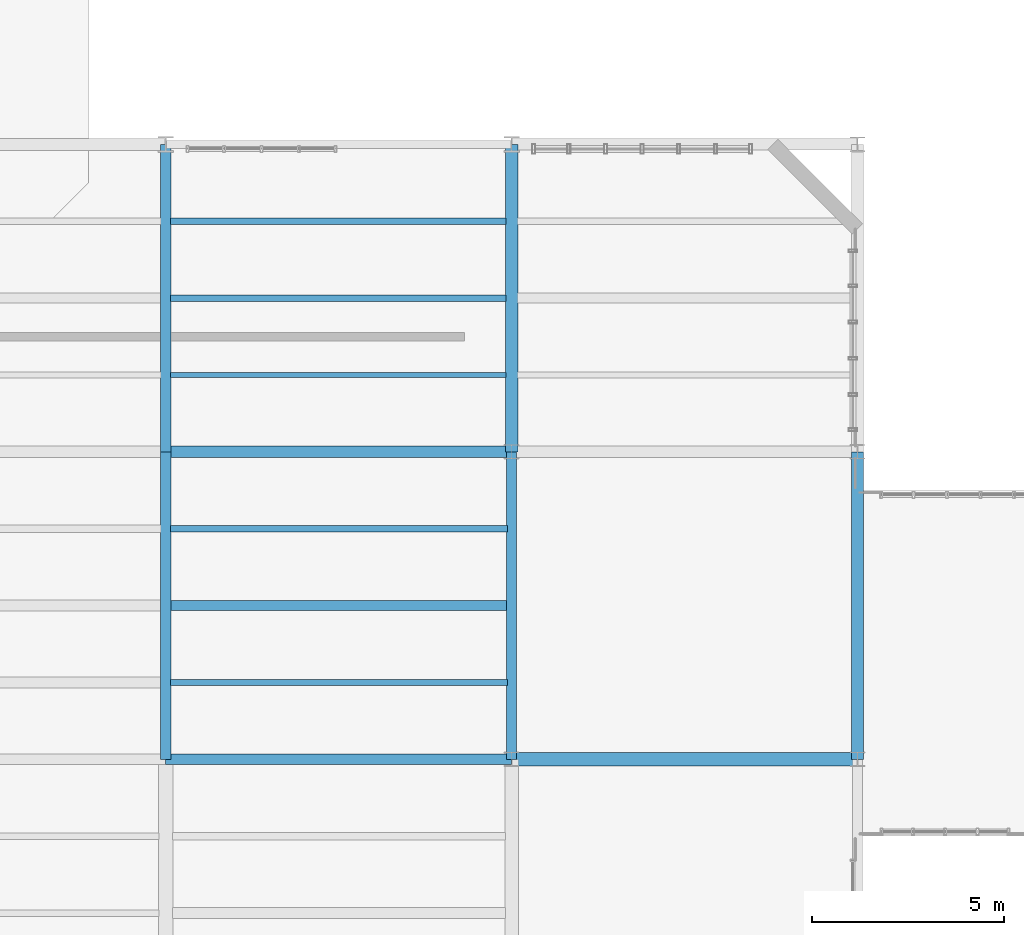
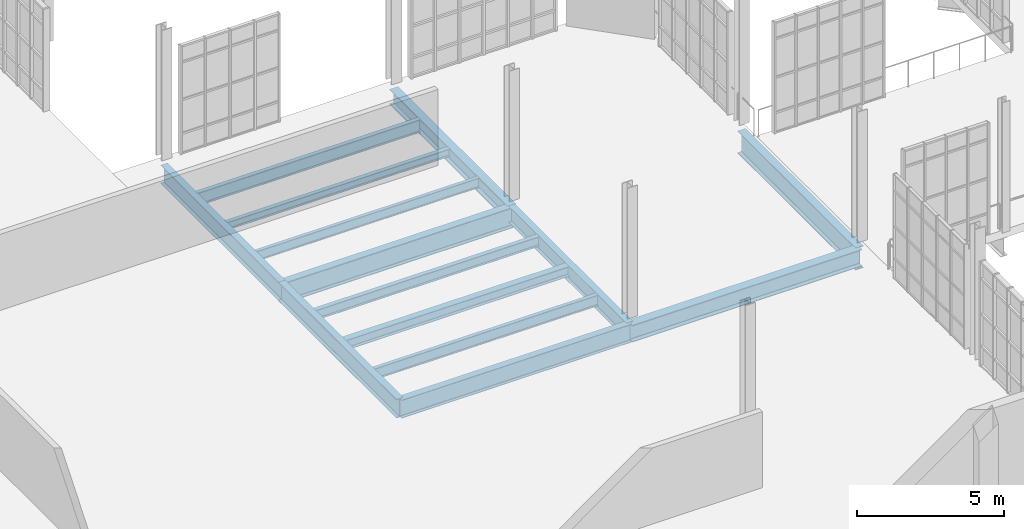
# One storey, part 24 of 189: 14 beams.
"""IFC4 building model written with IfcOpenShell, lengths in metres."""

import ifcopenshell
import ifcopenshell.guid

model = None  # the IFC model being written
_history = None  # IfcOwnerHistory: only IFC2X3 demands one
_inside = {}  # id of a spatial element -> (the spatial element, [elements in it])
_under = {}  # id of a project, library or spatial element -> (it, [spatial elements below it])
_declared = {}  # id of a project -> (the project, [libraries it declares])
_typed = {}  # id of a type object -> (the type object, [elements of that type])
_made_of = {}  # id of a material, layer set ... -> (it, [elements and type objects made of it])


def new_model(schema):
    """Start an empty IFC model of exactly this schema.

    Asked for "IFC4X3", IfcOpenShell would pick the latest addendum, in which some entities
    have other attributes; the version numbers below select the first issue.
    IFC2X3 requires an IfcOwnerHistory on every rooted entity: one is made here for all.
    """
    global model, _history
    if schema == "IFC4X3":
        model = ifcopenshell.file(schema_version=(4, 3, 0, 0))
    else:
        model = ifcopenshell.file(schema=schema)
    _inside.clear()
    _under.clear()
    _declared.clear()
    _typed.clear()
    _made_of.clear()
    _history = None
    if model.schema == "IFC2X3":
        org = make("IfcOrganization", Name="unknown")
        user = make(
            "IfcPersonAndOrganization",
            ThePerson=make("IfcPerson", FamilyName="unknown"),
            TheOrganization=org,
        )
        app = make(
            "IfcApplication",
            ApplicationDeveloper=org,
            Version="unknown",
            ApplicationFullName="unknown",
            ApplicationIdentifier="unknown",
        )
        _history = make(
            "IfcOwnerHistory",
            OwningUser=user,
            OwningApplication=app,
            ChangeAction="ADDED",
            CreationDate=0,
        )
    return model


def make(cls, **values):
    """One entity of the class cls with the attributes given. An attribute that is None is left unset."""
    return model.create_entity(
        cls, **{name: value for name, value in values.items() if value is not None}
    )


def rooted(cls, **values):
    """An entity with a GlobalId (a new one), such as an element, a storey or a relation."""
    return make(cls, GlobalId=ifcopenshell.guid.new(), OwnerHistory=_history, **values)


def si_unit(unit_type, name, prefix=None):
    """IfcSIUnit, for example si_unit("LENGTHUNIT", "METRE", prefix="MILLI")."""
    return make("IfcSIUnit", UnitType=unit_type, Prefix=prefix, Name=name)


def assignment(units):
    """IfcUnitAssignment: the units of a project."""
    return None if units is None else make("IfcUnitAssignment", Units=units)


def point(xyz):
    """IfcCartesianPoint."""
    return None if xyz is None else make("IfcCartesianPoint", Coordinates=xyz)


def direction(xyz):
    """IfcDirection."""
    return None if xyz is None else make("IfcDirection", DirectionRatios=xyz)


def frame(location, z_axis=None, x_axis=None):
    """IfcAxis2Placement3D, a coordinate frame: its origin and axes. An axis left out is left unset."""
    return make(
        "IfcAxis2Placement3D",
        Location=point(location),
        Axis=direction(z_axis),
        RefDirection=direction(x_axis),
    )


def frame_2d(location, x_axis=None):
    """IfcAxis2Placement2D, a coordinate frame in the plane: its origin and x axis."""
    return make(
        "IfcAxis2Placement2D", Location=point(location), RefDirection=direction(x_axis)
    )


def origin():
    """The frame at (0, 0, 0) with its axes left unset."""
    return frame((0.0, 0.0, 0.0))


def origin_2d():
    """The frame at (0, 0) in the plane with its x axis left unset."""
    return frame_2d((0.0, 0.0))


def place(relative_to, where):
    """IfcLocalPlacement: puts the frame where relative to a parent placement (None: the world)."""
    return make(
        "IfcLocalPlacement", PlacementRelTo=relative_to, RelativePlacement=where
    )


def context(
    kind, dimensions, precision=None, world=None, true_north=None, identifier=None
):
    """IfcGeometricRepresentationContext, for example the 3D "Model" context."""
    return make(
        "IfcGeometricRepresentationContext",
        ContextIdentifier=identifier,
        ContextType=kind,
        CoordinateSpaceDimension=dimensions,
        Precision=precision,
        WorldCoordinateSystem=world,
        TrueNorth=true_north,
    )


def subcontext(parent, identifier, kind, view, scale=None):
    """IfcGeometricRepresentationSubContext, for example "Body" below "Model"."""
    return make(
        "IfcGeometricRepresentationSubContext",
        ContextIdentifier=identifier,
        ContextType=kind,
        ParentContext=parent,
        TargetScale=scale,
        TargetView=view,
    )


def project(units=None, contexts=None):
    """IfcProject with its units and contexts."""
    return rooted(
        "IfcProject",
        Name="project",
        RepresentationContexts=contexts,
        UnitsInContext=assignment(units),
    )


def spatial(cls, under=None, at=None, **own):
    """A site, building, storey or space (cls), placed at a placement, below another one or the project."""
    s = rooted(cls, ObjectPlacement=at, **own)
    if under is not None:
        _under.setdefault(under.id(), (under, []))[1].append(s)
    return s


def profile(cls, at=None, kind="AREA", **sizes):
    """A parametric profile (cls). Its sizes go by their IFC names, for example OverallWidth=200.0."""
    return make(cls, ProfileType=kind, Position=at, **sizes)


def i_section(**sizes):
    """IfcIShapeProfileDef."""
    return profile("IfcIShapeProfileDef", **sizes)


def extrude(swept, where, along, depth):
    """IfcExtrudedAreaSolid: the profile swept, set in the frame where, extruded along a direction by depth."""
    return make(
        "IfcExtrudedAreaSolid",
        SweptArea=swept,
        Position=where,
        ExtrudedDirection=direction(along),
        Depth=depth,
    )


def shape(context_of_items, identifier, shape_type, items):
    """IfcShapeRepresentation: the items that make up one representation, for example the "Body"."""
    return make(
        "IfcShapeRepresentation",
        ContextOfItems=context_of_items,
        RepresentationIdentifier=identifier,
        RepresentationType=shape_type,
        Items=items,
    )


def material(Name=None, Category=None):
    """IfcMaterial."""
    return make("IfcMaterial", Name=Name, Category=Category)


def material_profile(
    of_material, cross_section, Name=None, Category=None, Priority=None
):
    """IfcMaterialProfile: a cross section and its material."""
    return make(
        "IfcMaterialProfile",
        Name=Name,
        Material=of_material,
        Profile=cross_section,
        Priority=Priority,
        Category=Category,
    )


def profile_set(profiles, Name=None, composite=None):
    """IfcMaterialProfileSet."""
    return make(
        "IfcMaterialProfileSet",
        Name=Name,
        MaterialProfiles=profiles,
        CompositeProfile=composite,
    )


def made_of(thing, what):
    """Note that an element or type object is made of a material, layer set ...; save() writes the relation."""
    if what is not None:
        _made_of.setdefault(what.id(), (what, []))[1].append(thing)
    return thing


def type_object(cls, material=None, **own):
    """A type object (cls), such as IfcWallType, which elements share."""
    return made_of(rooted(cls, **own), material)


def element(
    cls,
    number,
    at=None,
    inside=None,
    cuts=None,
    type_object=None,
    material=None,
    context=None,
    identifier="Body",
    shape_type=None,
    held_by="IfcProductDefinitionShape",
    body=None,
    shapes=None,
    **own,
):
    """One element of the class cls, such as IfcWall. Its Tag is "e" and its number.

    at: its placement. inside: the storey or other place that contains it. cuts: it is an
    opening in that element (IfcRelVoidsElement). A single representation is given by context,
    identifier, shape_type and body (its items); several are given by shapes. held_by: the class
    of the entity that holds the representations. save() writes the other relations.
    """
    e = rooted(cls, Tag="e%d" % number, ObjectPlacement=at, **own)
    if body is not None:
        shapes = [shape(context, identifier, shape_type, body)]
    if shapes is not None:
        e.Representation = make(held_by, Representations=shapes)
    if inside is not None:
        _inside.setdefault(inside.id(), (inside, []))[1].append(e)
    if cuts is not None:
        rooted(
            "IfcRelVoidsElement", RelatingBuildingElement=cuts, RelatedOpeningElement=e
        )
    if type_object is not None:
        _typed.setdefault(type_object.id(), (type_object, []))[1].append(e)
    return made_of(e, material)


def aggregate(whole, parts):
    """IfcRelAggregates: a whole, such as a stair, and the parts it consists of."""
    return rooted("IfcRelAggregates", RelatingObject=whole, RelatedObjects=parts)


def save(model, path):
    """Write the relations noted so far, then the file.

    IfcRelAggregates (storeys below a building ...), IfcRelContainedInSpatialStructure (elements
    in a storey), IfcRelDefinesByType, IfcRelAssociatesMaterial and IfcRelDeclares: one each for
    every whole, place, type object, material and project.
    """
    for whole, parts in _under.values():
        aggregate(whole, parts)
    for where, things in _inside.values():
        rooted(
            "IfcRelContainedInSpatialStructure",
            RelatedElements=things,
            RelatingStructure=where,
        )
    for kind, things in _typed.values():
        rooted("IfcRelDefinesByType", RelatedObjects=things, RelatingType=kind)
    for what, things in _made_of.values():
        rooted("IfcRelAssociatesMaterial", RelatedObjects=things, RelatingMaterial=what)
    for by, libraries in _declared.values():
        rooted("IfcRelDeclares", RelatingContext=by, RelatedDefinitions=libraries)
    model.write(path)


model = new_model("IFC4")

# Units and contexts
model_context = context("Model", 3, precision=1e-05, world=origin(), true_north=direction((0.0, 1.0)))
body_context = subcontext(model_context, "Body", "Model", "MODEL_VIEW")
ifc_project = project(units=[si_unit("LENGTHUNIT", "METRE"), si_unit("AREAUNIT", "SQUARE_METRE"), si_unit("VOLUMEUNIT", "CUBIC_METRE"), si_unit("PLANEANGLEUNIT", "RADIAN"), si_unit("MASSUNIT", "GRAM", prefix="KILO"), si_unit("THERMODYNAMICTEMPERATUREUNIT", "KELVIN"), si_unit("POWERUNIT", "WATT")], contexts=[model_context])

# Site, building, storey
site_placement = place(None, origin())
site = spatial("IfcSite", under=ifc_project, at=site_placement, CompositionType="ELEMENT")
building_placement = place(site_placement, origin())
building = spatial("IfcBuilding", under=site, at=building_placement, Name="Zelmaris Science Centre", CompositionType="ELEMENT")
storey_placement = place(building_placement, origin())
storey = spatial("IfcBuildingStorey", under=building, at=storey_placement, Name="L00", CompositionType="ELEMENT", Elevation=0.0)

# Beams
ifc_material = material(Name="Steel ASTM A992 Grade 50", Category="steel")
ifc_material_profile_1 = material_profile(ifc_material, i_section(OverallWidth=0.306884765625, OverallDepth=0.927001953125, WebThickness=0.019287109375, FlangeThickness=0.031982421875, FilletRadius=0.02392578125, at=origin_2d()), Name="W36X194")
ifc_profile_set_1 = profile_set([ifc_material_profile_1], Name="Steel ASTM A992 Grade 50")
beam_type_1 = type_object("IfcBeamType", Name="Beam G-03 W36X194", PredefinedType="BEAM", material=ifc_profile_set_1)
beam_1_placement = place(storey_placement, frame((54.0, 24.0, -0.803466796875), z_axis=(0.0, 1.0, 0.0), x_axis=(-1.0, 0.0, 0.0)))
element("IfcBeam", 1, at=beam_1_placement, inside=storey, type_object=beam_type_1, Name="L00 North-south girder 31", PredefinedType="BEAM", context=body_context, shape_type="SweptSolid", body=[
    extrude(i_section(OverallWidth=0.306884765625, OverallDepth=0.927001953125, WebThickness=0.019287109375, FlangeThickness=0.031982421875, FilletRadius=0.02392578125, at=origin_2d()), origin(), (0.0, 0.0, 1.0), 8.0),
])
ifc_material_profile_2 = material_profile(ifc_material, i_section(OverallWidth=0.294921875, OverallDepth=0.85107421875, WebThickness=0.01611328125, FlangeThickness=0.02685546875, FilletRadius=0.02001953125, at=origin_2d()), Name="W33X152")
ifc_profile_set_2 = profile_set([ifc_material_profile_2], Name="Steel ASTM A992 Grade 50")
beam_type_2 = type_object("IfcBeamType", Name="Beam G-06 W33X152", PredefinedType="BEAM", material=ifc_profile_set_2)
beam_2_placement = place(storey_placement, frame((36.0, 32.0, -0.735595703125), z_axis=(1.0, 0.0, 0.0), x_axis=(0.0, 1.0, 0.0)))
element("IfcBeam", 2, at=beam_2_placement, inside=storey, type_object=beam_type_2, Name="L00 East-west girder 126", PredefinedType="BEAM", context=body_context, shape_type="SweptSolid", body=[
    extrude(i_section(OverallWidth=0.294921875, OverallDepth=0.85107421875, WebThickness=0.01611328125, FlangeThickness=0.02685546875, FilletRadius=0.02001953125, at=origin_2d()), origin(), (0.0, 0.0, 1.0), 9.0),
])
ifc_material_profile_3 = material_profile(ifc_material, i_section(OverallWidth=0.26708984375, OverallDepth=0.780029296875, WebThickness=0.0166015625, FlangeThickness=0.030029296875, FilletRadius=0.01904296875, at=origin_2d()), Name="W30X148")
ifc_profile_set_3 = profile_set([ifc_material_profile_3], Name="Steel ASTM A992 Grade 50")
beam_type_3 = type_object("IfcBeamType", Name="Beam G-32 W30X148", PredefinedType="BEAM", material=ifc_profile_set_3)
beam_3_placement = place(storey_placement, frame((36.0, 24.0, -0.699951171875), z_axis=(0.0, 1.0, 0.0), x_axis=(-1.0, 0.0, 0.0)))
element("IfcBeam", 3, at=beam_3_placement, inside=storey, type_object=beam_type_3, Name="L00 North-south girder 21", PredefinedType="BEAM", context=body_context, shape_type="SweptSolid", body=[
    extrude(i_section(OverallWidth=0.26708984375, OverallDepth=0.780029296875, WebThickness=0.0166015625, FlangeThickness=0.030029296875, FilletRadius=0.01904296875, at=origin_2d()), origin(), (0.0, 0.0, 1.0), 8.0),
])
ifc_material_profile_4 = material_profile(ifc_material, i_section(OverallWidth=0.26708984375, OverallDepth=0.761962890625, WebThickness=0.014404296875, FlangeThickness=0.021484375, FilletRadius=0.01904296875, at=origin_2d()), Name="W30X116")
ifc_profile_set_4 = profile_set([ifc_material_profile_4], Name="Steel ASTM A992 Grade 50")
beam_type_4 = type_object("IfcBeamType", Name="Beam G-33 W30X116", PredefinedType="BEAM", material=ifc_profile_set_4)
beam_4_placement = place(storey_placement, frame((36.0, 32.0, -0.69091796875), z_axis=(0.0, 1.0, 0.0), x_axis=(-1.0, 0.0, 0.0)))
element("IfcBeam", 4, at=beam_4_placement, inside=storey, type_object=beam_type_4, Name="L00 North-south girder 22", PredefinedType="BEAM", context=body_context, shape_type="SweptSolid", body=[
    extrude(i_section(OverallWidth=0.26708984375, OverallDepth=0.761962890625, WebThickness=0.014404296875, FlangeThickness=0.021484375, FilletRadius=0.01904296875, at=origin_2d()), origin(), (0.0, 0.0, 1.0), 8.0),
])
ifc_material_profile_5 = material_profile(ifc_material, i_section(OverallWidth=0.26708984375, OverallDepth=0.75390625, WebThickness=0.01318359375, FlangeThickness=0.01708984375, FilletRadius=0.01904296875, at=origin_2d()), Name="W30X99")
ifc_profile_set_5 = profile_set([ifc_material_profile_5], Name="Steel ASTM A992 Grade 50")
beam_type_5 = type_object("IfcBeamType", Name="Beam G-34 W30X99", PredefinedType="BEAM", material=ifc_profile_set_5)
beam_5_placement = place(storey_placement, frame((36.0, 24.0, -0.68701171875), z_axis=(1.0, 0.0, 0.0), x_axis=(0.0, 1.0, 0.0)))
element("IfcBeam", 5, at=beam_5_placement, inside=storey, type_object=beam_type_5, Name="L00 East-west girder 116", PredefinedType="BEAM", context=body_context, shape_type="SweptSolid", body=[
    extrude(i_section(OverallWidth=0.26708984375, OverallDepth=0.75390625, WebThickness=0.01318359375, FlangeThickness=0.01708984375, FilletRadius=0.01904296875, at=origin_2d()), origin(), (0.0, 0.0, 1.0), 9.0),
])
ifc_material_profile_6 = material_profile(ifc_material, i_section(OverallWidth=0.35595703125, OverallDepth=0.700927734375, WebThickness=0.016845703125, FlangeThickness=0.02734375, FilletRadius=0.01806640625, at=origin_2d()), Name="W27X161")
ifc_profile_set_6 = profile_set([ifc_material_profile_6], Name="Steel ASTM A992 Grade 50")
beam_type_6 = type_object("IfcBeamType", Name="Beam G-35 W27X161", PredefinedType="BEAM", material=ifc_profile_set_6)
beam_6_placement = place(storey_placement, frame((45.0, 24.0, -0.6904296875), z_axis=(1.0, 0.0, 0.0), x_axis=(0.0, 1.0, 0.0)))
element("IfcBeam", 6, at=beam_6_placement, inside=storey, type_object=beam_type_6, Name="L00 East-west girder 117", PredefinedType="BEAM", context=body_context, shape_type="SweptSolid", body=[
    extrude(i_section(OverallWidth=0.35595703125, OverallDepth=0.700927734375, WebThickness=0.016845703125, FlangeThickness=0.02734375, FilletRadius=0.01806640625, at=origin_2d()), origin(), (0.0, 0.0, 1.0), 9.0),
])
ifc_material_profile_7 = material_profile(ifc_material, i_section(OverallWidth=0.25390625, OverallDepth=0.677978515625, WebThickness=0.01171875, FlangeThickness=0.016357421875, FilletRadius=0.01806640625, at=origin_2d()), Name="W27X84")
ifc_profile_set_7 = profile_set([ifc_material_profile_7], Name="Steel ASTM A992 Grade 50")
beam_type_7 = type_object("IfcBeamType", Name="Beam G-36 W27X84", PredefinedType="BEAM", material=ifc_profile_set_7)
beam_7_placement = place(storey_placement, frame((45.0, 24.0, -0.64892578125), z_axis=(0.0, 1.0, 0.0), x_axis=(-1.0, 0.0, 0.0)))
element("IfcBeam", 7, at=beam_7_placement, inside=storey, type_object=beam_type_7, Name="L00 North-south girder 25", PredefinedType="BEAM", context=body_context, shape_type="SweptSolid", body=[
    extrude(i_section(OverallWidth=0.25390625, OverallDepth=0.677978515625, WebThickness=0.01171875, FlangeThickness=0.016357421875, FilletRadius=0.01806640625, at=origin_2d()), origin(), (0.0, 0.0, 1.0), 8.0),
])
ifc_material_profile_8 = material_profile(ifc_material, i_section(OverallWidth=0.327880859375, OverallDepth=0.626953125, WebThickness=0.0166015625, FlangeThickness=0.027587890625, FilletRadius=0.014892578125, at=origin_2d()), Name="W24X146")
ifc_profile_set_8 = profile_set([ifc_material_profile_8], Name="Steel ASTM A992 Grade 50")
beam_type_8 = type_object("IfcBeamType", Name="Beam G-37 W24X146", PredefinedType="BEAM", material=ifc_profile_set_8)
beam_8_placement = place(storey_placement, frame((45.0, 32.0, -0.62353515625), z_axis=(0.0, 1.0, 0.0), x_axis=(-1.0, 0.0, 0.0)))
element("IfcBeam", 8, at=beam_8_placement, inside=storey, type_object=beam_type_8, Name="L00 North-south girder 26", PredefinedType="BEAM", context=body_context, shape_type="SweptSolid", body=[
    extrude(i_section(OverallWidth=0.327880859375, OverallDepth=0.626953125, WebThickness=0.0166015625, FlangeThickness=0.027587890625, FilletRadius=0.014892578125, at=origin_2d()), origin(), (0.0, 0.0, 1.0), 8.0),
])
ifc_material_profile_9 = material_profile(ifc_material, i_section(OverallWidth=0.16796875, OverallDepth=0.532958984375, WebThickness=0.01025390625, FlangeThickness=0.0166015625, FilletRadius=0.013916015625, at=origin_2d()), Name="W21X57")
ifc_profile_set_9 = profile_set([ifc_material_profile_9], Name="Steel ASTM A992 Grade 50")
beam_type_9 = type_object("IfcBeamType", Name="Beam J-01 W21X57", PredefinedType="JOIST", material=ifc_profile_set_9)
beam_9_placement = place(storey_placement, frame((36.118408203125, 38.0, -0.576416015625), z_axis=(1.0, 0.0, 0.0), x_axis=(0.0, 1.0, 0.0)))
element("IfcBeam", 9, at=beam_9_placement, inside=storey, type_object=beam_type_9, Name="L00 Composite floor joist 36", PredefinedType="JOIST", context=body_context, shape_type="SweptSolid", body=[
    extrude(i_section(OverallWidth=0.16796875, OverallDepth=0.532958984375, WebThickness=0.01025390625, FlangeThickness=0.0166015625, FilletRadius=0.013916015625, at=origin_2d()), origin(), (0.0, 0.0, 1.0), 8.732666015625),
])
ifc_material_profile_10 = material_profile(ifc_material, i_section(OverallWidth=0.152099609375, OverallDepth=0.455078125, WebThickness=0.008056640625, FlangeThickness=0.01318359375, FilletRadius=0.012939453125, at=origin_2d()), Name="W18X40")
ifc_profile_set_10 = profile_set([ifc_material_profile_10], Name="Steel ASTM A992 Grade 50")
beam_type_10 = type_object("IfcBeamType", Name="Beam J-05 W18X40", PredefinedType="JOIST", material=ifc_profile_set_10)
beam_10_placement = place(storey_placement, frame((36.118408203125, 26.0, -0.53759765625), z_axis=(1.0, 0.0, 0.0), x_axis=(0.0, 1.0, 0.0)))
element("IfcBeam", 10, at=beam_10_placement, inside=storey, type_object=beam_type_10, Name="L00 Composite floor joist 31", PredefinedType="JOIST", context=body_context, shape_type="SweptSolid", body=[
    extrude(i_section(OverallWidth=0.152099609375, OverallDepth=0.455078125, WebThickness=0.008056640625, FlangeThickness=0.01318359375, FilletRadius=0.012939453125, at=origin_2d()), origin(), (0.0, 0.0, 1.0), 8.76953125),
])
ifc_material_profile_11 = material_profile(ifc_material, i_section(OverallWidth=0.260009765625, OverallDepth=0.4140625, WebThickness=0.010009765625, FlangeThickness=0.016845703125, FilletRadius=0.011962890625, at=origin_2d()), Name="W16X67")
ifc_profile_set_11 = profile_set([ifc_material_profile_11], Name="Steel ASTM A992 Grade 50")
beam_type_11 = type_object("IfcBeamType", Name="Beam J-06 W16X67", PredefinedType="JOIST", material=ifc_profile_set_11)
beam_11_placement = place(storey_placement, frame((36.118408203125, 28.0, -0.51708984375), z_axis=(1.0, 0.0, 0.0), x_axis=(0.0, 1.0, 0.0)))
element("IfcBeam", 11, at=beam_11_placement, inside=storey, type_object=beam_type_11, Name="L00 Composite floor joist 32", PredefinedType="JOIST", context=body_context, shape_type="SweptSolid", body=[
    extrude(i_section(OverallWidth=0.260009765625, OverallDepth=0.4140625, WebThickness=0.010009765625, FlangeThickness=0.016845703125, FilletRadius=0.011962890625, at=origin_2d()), origin(), (0.0, 0.0, 1.0), 8.76953125),
])
ifc_material_profile_12 = material_profile(ifc_material, i_section(OverallWidth=0.177978515625, OverallDepth=0.408935546875, WebThickness=0.0087890625, FlangeThickness=0.014404296875, FilletRadius=0.011962890625, at=origin_2d()), Name="W16X45")
ifc_profile_set_12 = profile_set([ifc_material_profile_12], Name="Steel ASTM A992 Grade 50")
beam_type_12 = type_object("IfcBeamType", Name="Beam J-07 W16X45", PredefinedType="JOIST", material=ifc_profile_set_12)
beam_12_placement = place(storey_placement, frame((36.118408203125, 30.0, -0.514404296875), z_axis=(1.0, 0.0, 0.0), x_axis=(0.0, 1.0, 0.0)))
element("IfcBeam", 12, at=beam_12_placement, inside=storey, type_object=beam_type_12, Name="L00 Composite floor joist 33", PredefinedType="JOIST", context=body_context, shape_type="SweptSolid", body=[
    extrude(i_section(OverallWidth=0.177978515625, OverallDepth=0.408935546875, WebThickness=0.0087890625, FlangeThickness=0.014404296875, FilletRadius=0.011962890625, at=origin_2d()), origin(), (0.0, 0.0, 1.0), 8.76953125),
])
ifc_material_profile_13 = material_profile(ifc_material, i_section(OverallWidth=0.139892578125, OverallDepth=0.404052734375, WebThickness=0.007080078125, FlangeThickness=0.01123046875, FilletRadius=0.011962890625, at=origin_2d()), Name="W16X31")
ifc_profile_set_13 = profile_set([ifc_material_profile_13], Name="Steel ASTM A992 Grade 50")
beam_type_13 = type_object("IfcBeamType", Name="Beam J-08 W16X31", PredefinedType="JOIST", material=ifc_profile_set_13)
beam_13_placement = place(storey_placement, frame((36.118408203125, 34.0, -0.511962890625), z_axis=(1.0, 0.0, 0.0), x_axis=(0.0, 1.0, 0.0)))
element("IfcBeam", 13, at=beam_13_placement, inside=storey, type_object=beam_type_13, Name="L00 Composite floor joist 34", PredefinedType="JOIST", context=body_context, shape_type="SweptSolid", body=[
    extrude(i_section(OverallWidth=0.139892578125, OverallDepth=0.404052734375, WebThickness=0.007080078125, FlangeThickness=0.01123046875, FilletRadius=0.011962890625, at=origin_2d()), origin(), (0.0, 0.0, 1.0), 8.732666015625),
])
ifc_material_profile_14 = material_profile(ifc_material, i_section(OverallWidth=0.1669921875, OverallDepth=0.318115234375, WebThickness=0.007568359375, FlangeThickness=0.01318359375, FilletRadius=0.011962890625, at=origin_2d()), Name="W12X35")
ifc_profile_set_14 = profile_set([ifc_material_profile_14], Name="Steel ASTM A992 Grade 50")
beam_type_14 = type_object("IfcBeamType", Name="Beam J-09 W12X35", PredefinedType="JOIST", material=ifc_profile_set_14)
beam_14_placement = place(storey_placement, frame((36.118408203125, 36.0, -0.468994140625), z_axis=(1.0, 0.0, 0.0), x_axis=(0.0, 1.0, 0.0)))
element("IfcBeam", 14, at=beam_14_placement, inside=storey, type_object=beam_type_14, Name="L00 Composite floor joist 35", PredefinedType="JOIST", context=body_context, shape_type="SweptSolid", body=[
    extrude(i_section(OverallWidth=0.1669921875, OverallDepth=0.318115234375, WebThickness=0.007568359375, FlangeThickness=0.01318359375, FilletRadius=0.011962890625, at=origin_2d()), origin(), (0.0, 0.0, 1.0), 8.732666015625),
])

save(model, "model.ifc")
